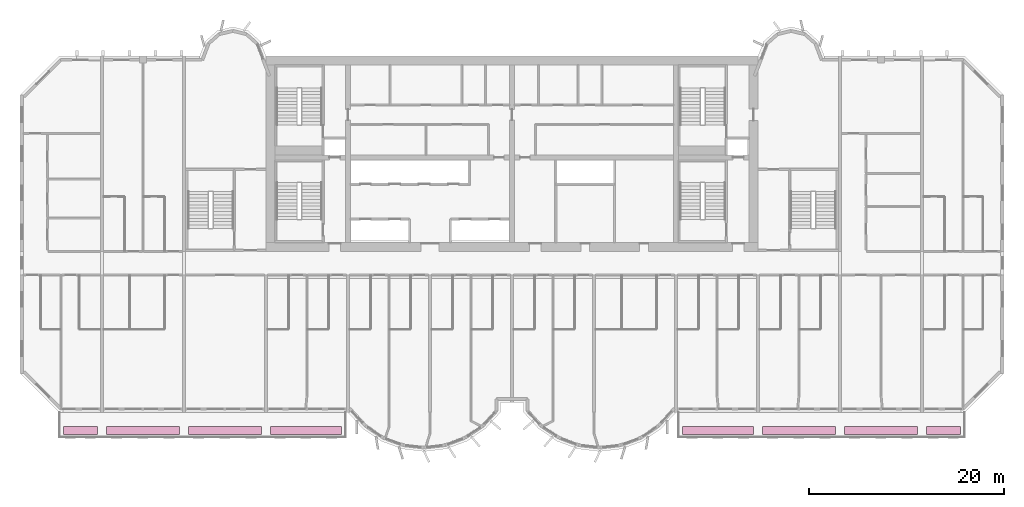
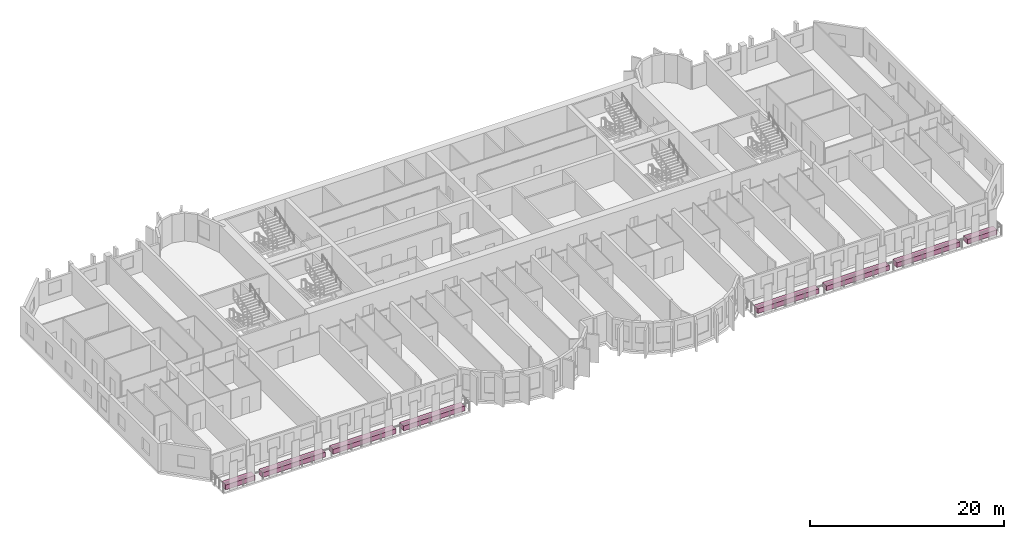
# One storey, part 14 of 14: 8 furniture elements.
"""IFC4 building model written with IfcOpenShell, lengths in metres."""

from ifc_helpers import new_model, si_unit, direction, frame, origin, origin_2d, place, context, subcontext, project, spatial, rectangle, extrude, source, transform, mapped, material, type_object, element, save


model = new_model("IFC4")

# Units and contexts
model_context = context("Model", 3, precision=1e-05, world=origin(), true_north=direction((0.0, 1.0)))
body_context = subcontext(model_context, "Body", "Model", "MODEL_VIEW")
ifc_project = project(units=[si_unit("LENGTHUNIT", "METRE"), si_unit("AREAUNIT", "SQUARE_METRE"), si_unit("VOLUMEUNIT", "CUBIC_METRE"), si_unit("PLANEANGLEUNIT", "RADIAN"), si_unit("MASSUNIT", "GRAM", prefix="KILO")], contexts=[model_context])

# Site, building, storey
site_placement = place(None, origin())
site = spatial("IfcSite", under=ifc_project, at=site_placement, CompositionType="ELEMENT")
building_placement = place(site_placement, origin())
building = spatial("IfcBuilding", under=site, at=building_placement, Name="Vanashikhar Sky Hotel", CompositionType="ELEMENT")
storey_placement = place(building_placement, frame((0.0, 0.0, 99.0)))
storey = spatial("IfcBuildingStorey", under=building, at=storey_placement, Name="L23", CompositionType="ELEMENT", Elevation=99.0)

# Furniture
ifc_material = material(Name="Planting soil and shrubs")
furniture_type = type_object("IfcFurnitureType", Name="Planter trough", AssemblyPlace="NOTDEFINED", PredefinedType="USERDEFINED", material=ifc_material)
shared_shape_1 = source(origin(), body_context, "Body", "SweptSolid", [
    extrude(rectangle(XDim=3.5, YDim=0.800048828125, at=origin_2d()), origin(), (0.0, 0.0, 1.0), 0.60009765625),
])
for number, where, z_axis, x_axis, name in (
    (1, (6.199951171875, 3.64990234375, -0.050048828125), (0.0, 0.0, 1.0), (1.0, 0.0, 0.0), "PLANTER with climbers"),
    (2, (94.60009765625, 3.64990234375, -0.050048828125), (0.0, 0.0, 1.0), (1.0, 0.0, 0.0), "PLANTER with climbers"),
):
    element("IfcFurniture", number, at=place(storey_placement, frame(where, z_axis=z_axis, x_axis=x_axis)), inside=storey, type_object=furniture_type, Name=name, ObjectType="PLANTER", PredefinedType="USERDEFINED", context=body_context, shape_type="MappedRepresentation", body=[
        mapped(shared_shape_1, transform((0.0, 0.0, 0.0), scale=1.0)),
    ])
shared_shape_2 = source(origin(), body_context, "Body", "SweptSolid", [
    extrude(rectangle(XDim=7.5, YDim=0.800048828125, at=origin_2d()), origin(), (0.0, 0.0, 1.0), 0.60009765625),
])
for number, where, z_axis, x_axis, name in (
    (3, (12.60009765625, 3.64990234375, -0.050048828125), (0.0, 0.0, 1.0), (1.0, 0.0, 0.0), "PLANTER with climbers"),
    (4, (21.0, 3.64990234375, -0.050048828125), (0.0, 0.0, 1.0), (1.0, 0.0, 0.0), "PLANTER with climbers"),
    (5, (79.800048828125, 3.64990234375, -0.050048828125), (0.0, 0.0, 1.0), (1.0, 0.0, 0.0), "PLANTER with climbers"),
    (6, (88.199951171875, 3.64990234375, -0.050048828125), (0.0, 0.0, 1.0), (1.0, 0.0, 0.0), "PLANTER with climbers"),
):
    element("IfcFurniture", number, at=place(storey_placement, frame(where, z_axis=z_axis, x_axis=x_axis)), inside=storey, type_object=furniture_type, Name=name, ObjectType="PLANTER", PredefinedType="USERDEFINED", context=body_context, shape_type="MappedRepresentation", body=[
        mapped(shared_shape_2, transform((0.0, 0.0, 0.0), scale=1.0)),
    ])
shared_shape_3 = source(origin(), body_context, "Body", "SweptSolid", [
    extrude(rectangle(XDim=7.300048828125, YDim=0.800048828125, at=origin_2d()), origin(), (0.0, 0.0, 1.0), 0.60009765625),
])
for number, where, z_axis, x_axis, name in (
    (7, (29.300048828125, 3.64990234375, -0.050048828125), (0.0, 0.0, 1.0), (1.0, 0.0, 0.0), "PLANTER with climbers"),
    (8, (71.5, 3.64990234375, -0.050048828125), (0.0, 0.0, 1.0), (1.0, 0.0, 0.0), "PLANTER with climbers"),
):
    element("IfcFurniture", number, at=place(storey_placement, frame(where, z_axis=z_axis, x_axis=x_axis)), inside=storey, type_object=furniture_type, Name=name, ObjectType="PLANTER", PredefinedType="USERDEFINED", context=body_context, shape_type="MappedRepresentation", body=[
        mapped(shared_shape_3, transform((0.0, 0.0, 0.0), scale=1.0)),
    ])

save(model, "model.ifc")
